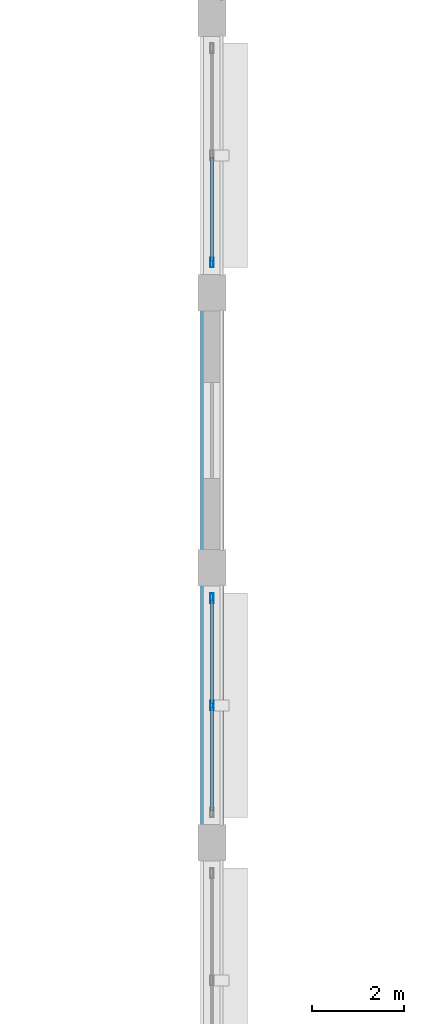
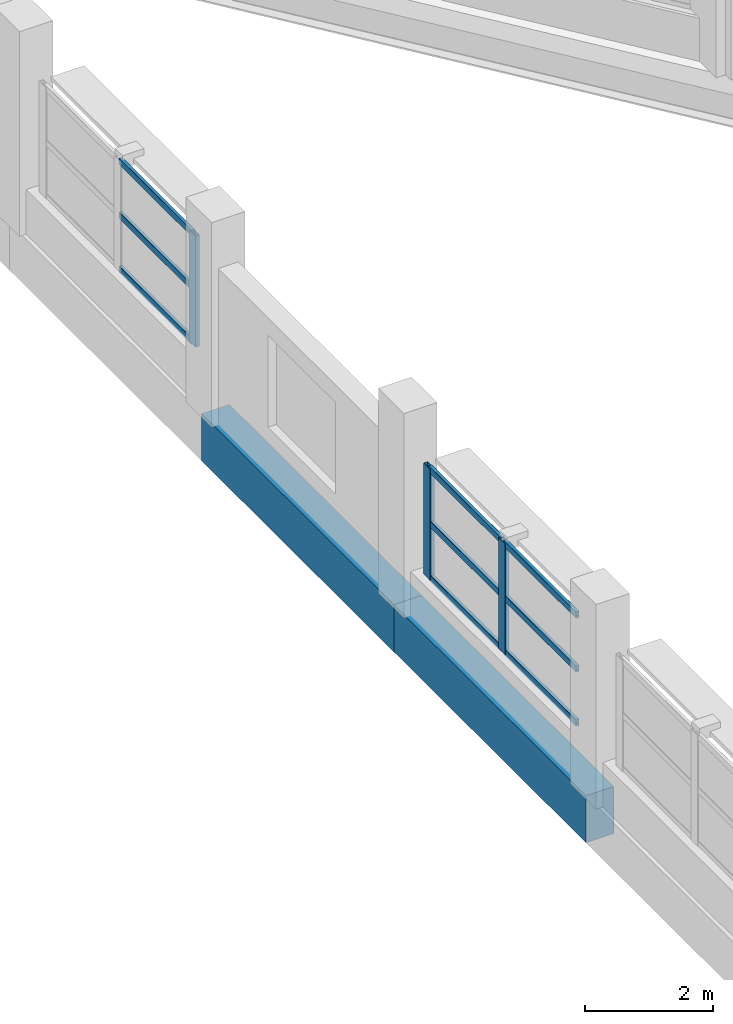
# One storey, part 10 of 121: 12 members, 2 beams, 2 elements without a shape of their own.
"""IFC4 building model written with IfcOpenShell, lengths in metres."""

import ifcopenshell
import ifcopenshell.guid

model = None  # the IFC model being written
_history = None  # IfcOwnerHistory: only IFC2X3 demands one
_inside = {}  # id of a spatial element -> (the spatial element, [elements in it])
_under = {}  # id of a project, library or spatial element -> (it, [spatial elements below it])
_declared = {}  # id of a project -> (the project, [libraries it declares])
_typed = {}  # id of a type object -> (the type object, [elements of that type])
_made_of = {}  # id of a material, layer set ... -> (it, [elements and type objects made of it])


def new_model(schema):
    """Start an empty IFC model of exactly this schema.

    Asked for "IFC4X3", IfcOpenShell would pick the latest addendum, in which some entities
    have other attributes; the version numbers below select the first issue.
    IFC2X3 requires an IfcOwnerHistory on every rooted entity: one is made here for all.
    """
    global model, _history
    if schema == "IFC4X3":
        model = ifcopenshell.file(schema_version=(4, 3, 0, 0))
    else:
        model = ifcopenshell.file(schema=schema)
    _inside.clear()
    _under.clear()
    _declared.clear()
    _typed.clear()
    _made_of.clear()
    _history = None
    if model.schema == "IFC2X3":
        org = make("IfcOrganization", Name="unknown")
        user = make(
            "IfcPersonAndOrganization",
            ThePerson=make("IfcPerson", FamilyName="unknown"),
            TheOrganization=org,
        )
        app = make(
            "IfcApplication",
            ApplicationDeveloper=org,
            Version="unknown",
            ApplicationFullName="unknown",
            ApplicationIdentifier="unknown",
        )
        _history = make(
            "IfcOwnerHistory",
            OwningUser=user,
            OwningApplication=app,
            ChangeAction="ADDED",
            CreationDate=0,
        )
    return model


def make(cls, **values):
    """One entity of the class cls with the attributes given. An attribute that is None is left unset."""
    return model.create_entity(
        cls, **{name: value for name, value in values.items() if value is not None}
    )


def rooted(cls, **values):
    """An entity with a GlobalId (a new one), such as an element, a storey or a relation."""
    return make(cls, GlobalId=ifcopenshell.guid.new(), OwnerHistory=_history, **values)


def si_unit(unit_type, name, prefix=None):
    """IfcSIUnit, for example si_unit("LENGTHUNIT", "METRE", prefix="MILLI")."""
    return make("IfcSIUnit", UnitType=unit_type, Prefix=prefix, Name=name)


def assignment(units):
    """IfcUnitAssignment: the units of a project."""
    return None if units is None else make("IfcUnitAssignment", Units=units)


def point(xyz):
    """IfcCartesianPoint."""
    return None if xyz is None else make("IfcCartesianPoint", Coordinates=xyz)


def direction(xyz):
    """IfcDirection."""
    return None if xyz is None else make("IfcDirection", DirectionRatios=xyz)


def frame(location, z_axis=None, x_axis=None):
    """IfcAxis2Placement3D, a coordinate frame: its origin and axes. An axis left out is left unset."""
    return make(
        "IfcAxis2Placement3D",
        Location=point(location),
        Axis=direction(z_axis),
        RefDirection=direction(x_axis),
    )


def frame_2d(location, x_axis=None):
    """IfcAxis2Placement2D, a coordinate frame in the plane: its origin and x axis."""
    return make(
        "IfcAxis2Placement2D", Location=point(location), RefDirection=direction(x_axis)
    )


def origin():
    """The frame at (0, 0, 0) with its axes left unset."""
    return frame((0.0, 0.0, 0.0))


def origin_2d():
    """The frame at (0, 0) in the plane with its x axis left unset."""
    return frame_2d((0.0, 0.0))


def place(relative_to, where):
    """IfcLocalPlacement: puts the frame where relative to a parent placement (None: the world)."""
    return make(
        "IfcLocalPlacement", PlacementRelTo=relative_to, RelativePlacement=where
    )


def context(
    kind, dimensions, precision=None, world=None, true_north=None, identifier=None
):
    """IfcGeometricRepresentationContext, for example the 3D "Model" context."""
    return make(
        "IfcGeometricRepresentationContext",
        ContextIdentifier=identifier,
        ContextType=kind,
        CoordinateSpaceDimension=dimensions,
        Precision=precision,
        WorldCoordinateSystem=world,
        TrueNorth=true_north,
    )


def subcontext(parent, identifier, kind, view, scale=None):
    """IfcGeometricRepresentationSubContext, for example "Body" below "Model"."""
    return make(
        "IfcGeometricRepresentationSubContext",
        ContextIdentifier=identifier,
        ContextType=kind,
        ParentContext=parent,
        TargetScale=scale,
        TargetView=view,
    )


def project(units=None, contexts=None):
    """IfcProject with its units and contexts."""
    return rooted(
        "IfcProject",
        Name="project",
        RepresentationContexts=contexts,
        UnitsInContext=assignment(units),
    )


def spatial(cls, under=None, at=None, **own):
    """A site, building, storey or space (cls), placed at a placement, below another one or the project."""
    s = rooted(cls, ObjectPlacement=at, **own)
    if under is not None:
        _under.setdefault(under.id(), (under, []))[1].append(s)
    return s


def profile(cls, at=None, kind="AREA", **sizes):
    """A parametric profile (cls). Its sizes go by their IFC names, for example OverallWidth=200.0."""
    return make(cls, ProfileType=kind, Position=at, **sizes)


def rectangle(**sizes):
    """IfcRectangleProfileDef."""
    return profile("IfcRectangleProfileDef", **sizes)


def hollow_rectangle(**sizes):
    """IfcRectangleHollowProfileDef."""
    return profile("IfcRectangleHollowProfileDef", **sizes)


def extrude(swept, where, along, depth):
    """IfcExtrudedAreaSolid: the profile swept, set in the frame where, extruded along a direction by depth."""
    return make(
        "IfcExtrudedAreaSolid",
        SweptArea=swept,
        Position=where,
        ExtrudedDirection=direction(along),
        Depth=depth,
    )


def shape(context_of_items, identifier, shape_type, items):
    """IfcShapeRepresentation: the items that make up one representation, for example the "Body"."""
    return make(
        "IfcShapeRepresentation",
        ContextOfItems=context_of_items,
        RepresentationIdentifier=identifier,
        RepresentationType=shape_type,
        Items=items,
    )


def material(Name=None, Category=None):
    """IfcMaterial."""
    return make("IfcMaterial", Name=Name, Category=Category)


def layer(
    of_material, thickness, ventilated=None, Name=None, Category=None, Priority=None
):
    """IfcMaterialLayer: one layer of a wall or slab, of a material (None: an air gap)."""
    return make(
        "IfcMaterialLayer",
        Material=of_material,
        LayerThickness=thickness,
        IsVentilated=ventilated,
        Name=Name,
        Category=Category,
        Priority=Priority,
    )


def layer_set(layers, Name=None):
    """IfcMaterialLayerSet."""
    return make("IfcMaterialLayerSet", MaterialLayers=layers, LayerSetName=Name)


def material_profile(
    of_material, cross_section, Name=None, Category=None, Priority=None
):
    """IfcMaterialProfile: a cross section and its material."""
    return make(
        "IfcMaterialProfile",
        Name=Name,
        Material=of_material,
        Profile=cross_section,
        Priority=Priority,
        Category=Category,
    )


def profile_set(profiles, Name=None, composite=None):
    """IfcMaterialProfileSet."""
    return make(
        "IfcMaterialProfileSet",
        Name=Name,
        MaterialProfiles=profiles,
        CompositeProfile=composite,
    )


def made_of(thing, what):
    """Note that an element or type object is made of a material, layer set ...; save() writes the relation."""
    if what is not None:
        _made_of.setdefault(what.id(), (what, []))[1].append(thing)
    return thing


def type_object(cls, material=None, **own):
    """A type object (cls), such as IfcWallType, which elements share."""
    return made_of(rooted(cls, **own), material)


def element(
    cls,
    number,
    at=None,
    inside=None,
    cuts=None,
    type_object=None,
    material=None,
    context=None,
    identifier="Body",
    shape_type=None,
    held_by="IfcProductDefinitionShape",
    body=None,
    shapes=None,
    **own,
):
    """One element of the class cls, such as IfcWall. Its Tag is "e" and its number.

    at: its placement. inside: the storey or other place that contains it. cuts: it is an
    opening in that element (IfcRelVoidsElement). A single representation is given by context,
    identifier, shape_type and body (its items); several are given by shapes. held_by: the class
    of the entity that holds the representations. save() writes the other relations.
    """
    e = rooted(cls, Tag="e%d" % number, ObjectPlacement=at, **own)
    if body is not None:
        shapes = [shape(context, identifier, shape_type, body)]
    if shapes is not None:
        e.Representation = make(held_by, Representations=shapes)
    if inside is not None:
        _inside.setdefault(inside.id(), (inside, []))[1].append(e)
    if cuts is not None:
        rooted(
            "IfcRelVoidsElement", RelatingBuildingElement=cuts, RelatedOpeningElement=e
        )
    if type_object is not None:
        _typed.setdefault(type_object.id(), (type_object, []))[1].append(e)
    return made_of(e, material)


def aggregate(whole, parts):
    """IfcRelAggregates: a whole, such as a stair, and the parts it consists of."""
    return rooted("IfcRelAggregates", RelatingObject=whole, RelatedObjects=parts)


def save(model, path):
    """Write the relations noted so far, then the file.

    IfcRelAggregates (storeys below a building ...), IfcRelContainedInSpatialStructure (elements
    in a storey), IfcRelDefinesByType, IfcRelAssociatesMaterial and IfcRelDeclares: one each for
    every whole, place, type object, material and project.
    """
    for whole, parts in _under.values():
        aggregate(whole, parts)
    for where, things in _inside.values():
        rooted(
            "IfcRelContainedInSpatialStructure",
            RelatedElements=things,
            RelatingStructure=where,
        )
    for kind, things in _typed.values():
        rooted("IfcRelDefinesByType", RelatedObjects=things, RelatingType=kind)
    for what, things in _made_of.values():
        rooted("IfcRelAssociatesMaterial", RelatedObjects=things, RelatingMaterial=what)
    for by, libraries in _declared.values():
        rooted("IfcRelDeclares", RelatingContext=by, RelatedDefinitions=libraries)
    model.write(path)


model = new_model("IFC4")

# Units and contexts
model_context = context("Model", 3, precision=1e-05, world=origin(), true_north=direction((0.0, 1.0)))
body_context = subcontext(model_context, "Body", "Model", "MODEL_VIEW")
ifc_project = project(units=[si_unit("LENGTHUNIT", "METRE"), si_unit("AREAUNIT", "SQUARE_METRE"), si_unit("VOLUMEUNIT", "CUBIC_METRE"), si_unit("PLANEANGLEUNIT", "RADIAN"), si_unit("MASSUNIT", "GRAM", prefix="KILO")], contexts=[model_context])

# Site, building, storey
site_placement = place(None, origin())
site = spatial("IfcSite", under=ifc_project, at=site_placement, CompositionType="ELEMENT")
building_placement = place(site_placement, origin())
building = spatial("IfcBuilding", under=site, at=building_placement, Name="Vespera Passage Community Centre", CompositionType="ELEMENT")
storey_placement = place(building_placement, frame((0.0, 0.0, 8.699951171875)))
storey = spatial("IfcBuildingStorey", under=building, at=storey_placement, Name="L02", CompositionType="ELEMENT", Elevation=8.699951171875)

# Beams
ifc_material_1 = material(Name="Concrete f'c 45 MPa", Category="concrete")
ifc_material_profile_1 = material_profile(ifc_material_1, rectangle(XDim=0.5, YDim=0.89990234375, at=origin_2d()), Name="RC500X900")
ifc_profile_set_1 = profile_set([ifc_material_profile_1], Name="Concrete f'c 45 MPa")
beam_type = type_object("IfcBeamType", Name="BM-SP-500X900E", PredefinedType="SPANDREL", material=ifc_profile_set_1)
for number, where, z_axis, x_axis, name in (
    (1, (31.949951171875, 19.0, -0.449951171875), (0.0, 1.0, 0.0), (-1.0, 0.0, 0.0), "V1 L02 Spandrel E3"),
    (2, (31.949951171875, 25.0, -0.449951171875), (0.0, 1.0, 0.0), (-1.0, 0.0, 0.0), "V1 L02 Spandrel E4"),
):
    element("IfcBeam", number, at=place(storey_placement, frame(where, z_axis=z_axis, x_axis=x_axis)), inside=storey, type_object=beam_type, Name=name, PredefinedType="SPANDREL", context=body_context, shape_type="SweptSolid", body=[
        extrude(rectangle(XDim=0.5, YDim=0.89990234375, at=origin_2d()), origin(), (0.0, 0.0, 1.0), 6.0),
    ])

# Curtain wall, members
ifc_material_2 = material(Name="Anodized aluminium 6063-T6", Category="aluminium")
ifc_layer = layer(ifc_material_2, 0.159912109375)
ifc_layer_set = layer_set([ifc_layer], Name="Anodized aluminium 6063-T6")
curtain_wall_type = type_object("IfcCurtainWallType", Name="CW-86E", PredefinedType="NOTDEFINED", material=ifc_layer_set)
curtain_wall_1_placement = place(storey_placement, origin())
curtain_wall_1 = element("IfcCurtainWall", 3, at=curtain_wall_1_placement, inside=storey, type_object=curtain_wall_type, Name="Main Hall Acoustic Curtain Wall L02 E3", PredefinedType="NOTDEFINED")
ifc_material_3 = material(Name="Anodized aluminium 6063-T6", Category="aluminium")
ifc_material_profile_2 = material_profile(ifc_material_3, hollow_rectangle(XDim=0.074951171875, YDim=0.2099609375, WallThickness=0.0048828125, InnerFilletRadius=0.00244140625, OuterFilletRadius=0.0048828125, at=origin_2d()), Name="ALU210X75X5")
ifc_profile_set_2 = profile_set([ifc_material_profile_2], Name="Anodized aluminium 6063-T6")
member_type_1 = type_object("IfcMemberType", Name="MB-CWM-210E", PredefinedType="MULLION", material=ifc_profile_set_2)
member_1_placement = place(storey_placement, frame((31.949951171875, 24.33740234375, 0.85009765625), z_axis=(0.0, 0.0, 1.0), x_axis=(1.0, 0.0, 0.0)))
member_1 = element("IfcMember", 4, at=member_1_placement, type_object=member_type_1, Name="CW-86E mullion 1", PredefinedType="MULLION", context=body_context, shape_type="SweptSolid", body=[
    extrude(hollow_rectangle(XDim=0.074951171875, YDim=0.2099609375, WallThickness=0.0048828125, InnerFilletRadius=0.00244140625, OuterFilletRadius=0.0048828125, at=origin_2d()), origin(), (0.0, 0.0, 1.0), 2.114990234375),
])
member_2_placement = place(storey_placement, frame((31.949951171875, 22.0, 0.85009765625), z_axis=(0.0, 0.0, 1.0), x_axis=(1.0, 0.0, 0.0)))
member_2 = element("IfcMember", 5, at=member_2_placement, type_object=member_type_1, Name="CW-86E mullion 2", PredefinedType="MULLION", context=body_context, shape_type="SweptSolid", body=[
    extrude(hollow_rectangle(XDim=0.074951171875, YDim=0.2099609375, WallThickness=0.0048828125, InnerFilletRadius=0.00244140625, OuterFilletRadius=0.0048828125, at=origin_2d()), origin(), (0.0, 0.0, 1.0), 2.114990234375),
])

# Curtain wall, member
curtain_wall_2_placement = place(storey_placement, origin())
curtain_wall_2 = element("IfcCurtainWall", 6, at=curtain_wall_2_placement, inside=storey, type_object=curtain_wall_type, Name="Main Hall Acoustic Curtain Wall L02 E5", PredefinedType="NOTDEFINED")
member_3_placement = place(storey_placement, frame((31.949951171875, 31.66259765625, 0.85009765625), z_axis=(0.0, 0.0, 1.0), x_axis=(1.0, 0.0, 0.0)))
member_3 = element("IfcMember", 7, at=member_3_placement, type_object=member_type_1, Name="CW-86E mullion 3", PredefinedType="MULLION", context=body_context, shape_type="SweptSolid", body=[
    extrude(hollow_rectangle(XDim=0.074951171875, YDim=0.2099609375, WallThickness=0.0048828125, InnerFilletRadius=0.00244140625, OuterFilletRadius=0.0048828125, at=origin_2d()), origin(), (0.0, 0.0, 1.0), 2.114990234375),
])

# Member
ifc_material_4 = material(Name="Anodized aluminium 6063-T6", Category="aluminium")
ifc_material_profile_3 = material_profile(ifc_material_4, hollow_rectangle(XDim=0.06005859375, YDim=0.1201171875, WallThickness=0.00390625, InnerFilletRadius=0.001953125, OuterFilletRadius=0.00390625, at=origin_2d()), Name="ALU120X60X4")
ifc_profile_set_3 = profile_set([ifc_material_profile_3], Name="Anodized aluminium 6063-T6")
member_type_2 = type_object("IfcMemberType", Name="MB-CWT-120E", PredefinedType="USERDEFINED", material=ifc_profile_set_3)
member_4_placement = place(storey_placement, frame((31.949951171875, 24.300048828125, 0.880126953125), z_axis=(0.0, -1.0, 0.0), x_axis=(1.0, 0.0, 0.0)))
member_4 = element("IfcMember", 8, at=member_4_placement, type_object=member_type_2, Name="CW-86E transom 1.1", ObjectType="TRANSOM", PredefinedType="USERDEFINED", context=body_context, shape_type="SweptSolid", body=[
    extrude(hollow_rectangle(XDim=0.06005859375, YDim=0.1201171875, WallThickness=0.00390625, InnerFilletRadius=0.001953125, OuterFilletRadius=0.00390625, at=origin_2d()), origin(), (0.0, 0.0, 1.0), 2.262451171875),
])

member_5_placement = place(storey_placement, frame((31.949951171875, 24.300048828125, 1.907470703125), z_axis=(0.0, -1.0, 0.0), x_axis=(1.0, 0.0, 0.0)))
member_5 = element("IfcMember", 9, at=member_5_placement, type_object=member_type_2, Name="CW-86E transom 1.2", ObjectType="TRANSOM", PredefinedType="USERDEFINED", context=body_context, shape_type="SweptSolid", body=[
    extrude(hollow_rectangle(XDim=0.06005859375, YDim=0.1201171875, WallThickness=0.00390625, InnerFilletRadius=0.001953125, OuterFilletRadius=0.00390625, at=origin_2d()), origin(), (0.0, 0.0, 1.0), 2.262451171875),
])

member_6_placement = place(storey_placement, frame((31.949951171875, 24.300048828125, 2.93505859375), z_axis=(0.0, -1.0, 0.0), x_axis=(1.0, 0.0, 0.0)))
member_6 = element("IfcMember", 10, at=member_6_placement, type_object=member_type_2, Name="CW-86E transom 1.3", ObjectType="TRANSOM", PredefinedType="USERDEFINED", context=body_context, shape_type="SweptSolid", body=[
    extrude(hollow_rectangle(XDim=0.06005859375, YDim=0.1201171875, WallThickness=0.00390625, InnerFilletRadius=0.001953125, OuterFilletRadius=0.00390625, at=origin_2d()), origin(), (0.0, 0.0, 1.0), 2.262451171875),
])

member_7_placement = place(storey_placement, frame((31.949951171875, 21.96240234375, 0.880126953125), z_axis=(0.0, -1.0, 0.0), x_axis=(1.0, 0.0, 0.0)))
member_7 = element("IfcMember", 11, at=member_7_placement, type_object=member_type_2, Name="CW-86E transom 2.1", ObjectType="TRANSOM", PredefinedType="USERDEFINED", context=body_context, shape_type="SweptSolid", body=[
    extrude(hollow_rectangle(XDim=0.06005859375, YDim=0.1201171875, WallThickness=0.00390625, InnerFilletRadius=0.001953125, OuterFilletRadius=0.00390625, at=origin_2d()), origin(), (0.0, 0.0, 1.0), 2.262451171875),
])

member_8_placement = place(storey_placement, frame((31.949951171875, 21.96240234375, 1.907470703125), z_axis=(0.0, -1.0, 0.0), x_axis=(1.0, 0.0, 0.0)))
member_8 = element("IfcMember", 12, at=member_8_placement, type_object=member_type_2, Name="CW-86E transom 2.2", ObjectType="TRANSOM", PredefinedType="USERDEFINED", context=body_context, shape_type="SweptSolid", body=[
    extrude(hollow_rectangle(XDim=0.06005859375, YDim=0.1201171875, WallThickness=0.00390625, InnerFilletRadius=0.001953125, OuterFilletRadius=0.00390625, at=origin_2d()), origin(), (0.0, 0.0, 1.0), 2.262451171875),
])

member_9_placement = place(storey_placement, frame((31.949951171875, 21.96240234375, 2.93505859375), z_axis=(0.0, -1.0, 0.0), x_axis=(1.0, 0.0, 0.0)))
member_9 = element("IfcMember", 13, at=member_9_placement, type_object=member_type_2, Name="CW-86E transom 2.3", ObjectType="TRANSOM", PredefinedType="USERDEFINED", context=body_context, shape_type="SweptSolid", body=[
    extrude(hollow_rectangle(XDim=0.06005859375, YDim=0.1201171875, WallThickness=0.00390625, InnerFilletRadius=0.001953125, OuterFilletRadius=0.00390625, at=origin_2d()), origin(), (0.0, 0.0, 1.0), 2.262451171875),
])

aggregate(curtain_wall_1, [member_1, member_2, member_4, member_5, member_6, member_7, member_8, member_9])

member_10_placement = place(storey_placement, frame((31.949951171875, 33.96240234375, 0.880126953125), z_axis=(0.0, -1.0, 0.0), x_axis=(1.0, 0.0, 0.0)))
member_10 = element("IfcMember", 14, at=member_10_placement, type_object=member_type_2, Name="CW-86E transom 2.1", ObjectType="TRANSOM", PredefinedType="USERDEFINED", context=body_context, shape_type="SweptSolid", body=[
    extrude(hollow_rectangle(XDim=0.06005859375, YDim=0.1201171875, WallThickness=0.00390625, InnerFilletRadius=0.001953125, OuterFilletRadius=0.00390625, at=origin_2d()), origin(), (0.0, 0.0, 1.0), 2.262451171875),
])

member_11_placement = place(storey_placement, frame((31.949951171875, 33.96240234375, 1.907470703125), z_axis=(0.0, -1.0, 0.0), x_axis=(1.0, 0.0, 0.0)))
member_11 = element("IfcMember", 15, at=member_11_placement, type_object=member_type_2, Name="CW-86E transom 2.2", ObjectType="TRANSOM", PredefinedType="USERDEFINED", context=body_context, shape_type="SweptSolid", body=[
    extrude(hollow_rectangle(XDim=0.06005859375, YDim=0.1201171875, WallThickness=0.00390625, InnerFilletRadius=0.001953125, OuterFilletRadius=0.00390625, at=origin_2d()), origin(), (0.0, 0.0, 1.0), 2.262451171875),
])

member_12_placement = place(storey_placement, frame((31.949951171875, 33.96240234375, 2.93505859375), z_axis=(0.0, -1.0, 0.0), x_axis=(1.0, 0.0, 0.0)))
member_12 = element("IfcMember", 16, at=member_12_placement, type_object=member_type_2, Name="CW-86E transom 2.3", ObjectType="TRANSOM", PredefinedType="USERDEFINED", context=body_context, shape_type="SweptSolid", body=[
    extrude(hollow_rectangle(XDim=0.06005859375, YDim=0.1201171875, WallThickness=0.00390625, InnerFilletRadius=0.001953125, OuterFilletRadius=0.00390625, at=origin_2d()), origin(), (0.0, 0.0, 1.0), 2.262451171875),
])

aggregate(curtain_wall_2, [member_3, member_10, member_11, member_12])

save(model, "model.ifc")
